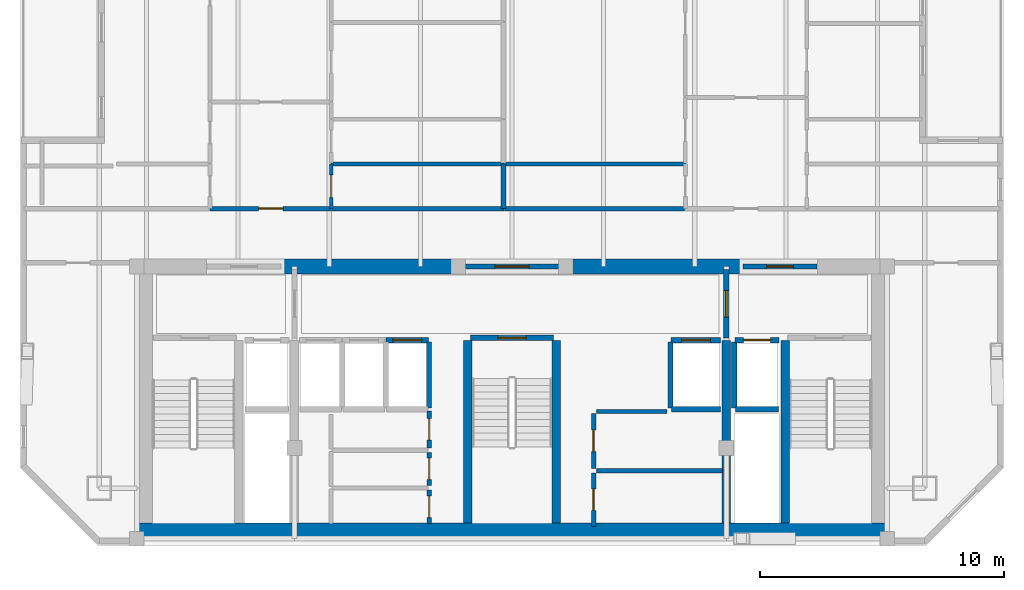
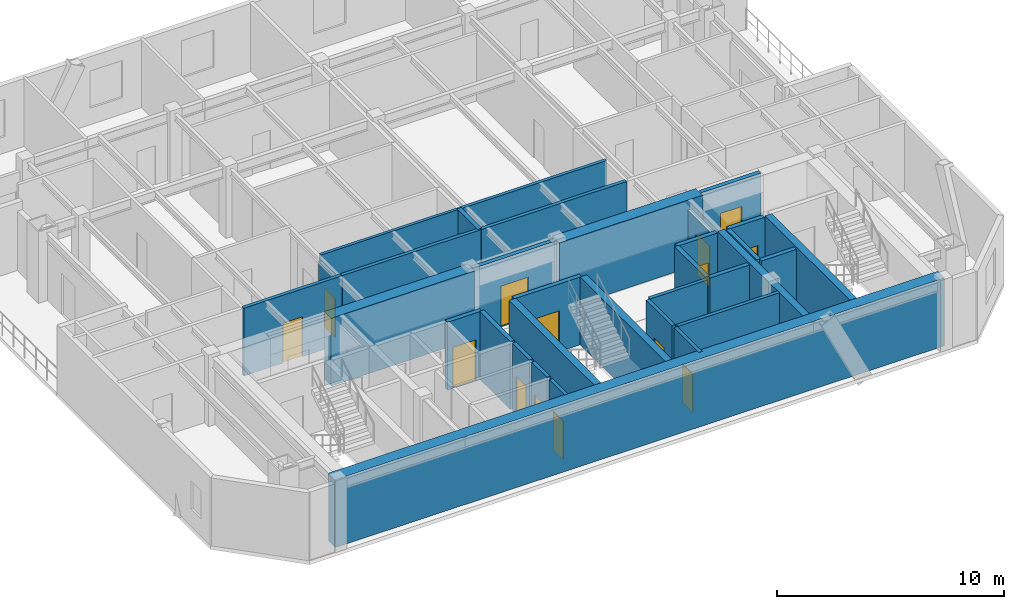
# One storey, part 3 of 7: 33 walls, 14 doors, 14 openings.
"""IFC4 building model written with IfcOpenShell, lengths in metres."""

from ifc_helpers import new_model, si_unit, direction, frame, frame_2d, origin, place, context, subcontext, project, spatial, rectangle, extrude, material, layer, layer_set, type_object, element, fill, save


model = new_model("IFC4")

# Units and contexts
model_context = context("Model", 3, precision=1e-05, world=origin(), true_north=direction((0.0, 1.0)))
body_context = subcontext(model_context, "Body", "Model", "MODEL_VIEW")
ifc_project = project(units=[si_unit("LENGTHUNIT", "METRE"), si_unit("AREAUNIT", "SQUARE_METRE"), si_unit("VOLUMEUNIT", "CUBIC_METRE"), si_unit("PLANEANGLEUNIT", "RADIAN"), si_unit("MASSUNIT", "GRAM", prefix="KILO")], contexts=[model_context])

# Site, building, storey
site_placement = place(None, origin())
site = spatial("IfcSite", under=ifc_project, at=site_placement, CompositionType="ELEMENT")
building_placement = place(site_placement, origin())
building = spatial("IfcBuilding", under=site, at=building_placement, Name="Ventersveld Concourse Tower", CompositionType="ELEMENT")
storey_placement = place(building_placement, frame((0.0, 0.0, 292.60009765625)))
storey = spatial("IfcBuildingStorey", under=building, at=storey_placement, Name="L72", CompositionType="ELEMENT", Elevation=292.60009765625)

# Walls
ifc_material_1 = material(Name="Concrete C50/60", Category="concrete")
ifc_layer_1 = layer(ifc_material_1, 0.35009765625)
ifc_layer_set_1 = layer_set([ifc_layer_1], Name="Concrete C50/60")
wall_type_1 = type_object("IfcWallType", Name="WL-CORE-350U", PredefinedType="SHEAR", material=ifc_layer_set_1)
for number, where, z_axis, x_axis, name in (
    (1, (26.93994140625, 0.919921875, 0.0), (0.0, 0.0, 1.0), (0.0, 1.0, 0.0), "L72 Core Internal Shear Web W-ST3-W"),
    (2, (30.56005859375, 0.919921875, 0.0), (0.0, 0.0, 1.0), (0.0, 1.0, 0.0), "L72 Core Internal Shear Web W-ST3-E"),
    (3, (37.550048828125, 0.919921875, 0.0), (0.0, 0.0, 1.0), (0.0, 1.0, 0.0), "L72 Core Internal Shear Web W-SVL-W"),
    (4, (39.9599609375, 0.919921875, 0.0), (0.0, 0.0, 1.0), (0.0, 1.0, 0.0), "L72 Core Internal Shear Web W-ST2-W"),
):
    element("IfcWall", number, at=place(storey_placement, frame(where, z_axis=z_axis, x_axis=x_axis)), inside=storey, type_object=wall_type_1, Name=name, PredefinedType="SHEAR", context=body_context, shape_type="SweptSolid", body=[
        extrude(rectangle(XDim=7.5, YDim=0.35009765625, at=frame_2d((3.75, 0.0))), origin(), (0.0, 0.0, 1.0), 3.64990234375),
    ])
ifc_layer_2 = layer(ifc_material_1, 0.60009765625)
ifc_layer_set_2 = layer_set([ifc_layer_2], Name="Concrete C50/60")
wall_type_2 = type_object("IfcWallType", Name="WL-CORE-600", PredefinedType="SHEAR", material=ifc_layer_set_2)
wall_1_placement = place(storey_placement, frame((13.25, 0.6201171875, 0.0), z_axis=(0.0, 0.0, 1.0), x_axis=(1.0, 0.0, 0.0)))
element("IfcWall", 5, at=wall_1_placement, inside=storey, type_object=wall_type_2, Name="L72 Rear Core South Shear Wall", PredefinedType="SHEAR", context=body_context, shape_type="SweptSolid", body=[
    extrude(rectangle(XDim=31.0, YDim=0.60009765625, at=frame_2d((15.5, 0.0))), origin(), (0.0, 0.0, 1.0), 3.64990234375),
])
for number, where, z_axis, x_axis, name in (
    (6, (19.300048828125, 11.449951171875, 0.0), (0.0, 0.0, 1.0), (1.0, 0.0, 0.0), "L72 Rear Core North Shear Wall NML"),
    (7, (30.89990234375, 11.449951171875, 0.0), (0.0, 0.0, 1.0), (1.0, 0.0, 0.0), "L72 Rear Core North Shear Wall NMR"),
):
    element("IfcWall", number, at=place(storey_placement, frame(where, z_axis=z_axis, x_axis=x_axis)), inside=storey, type_object=wall_type_2, Name=name, PredefinedType="SHEAR", context=body_context, shape_type="SweptSolid", body=[
        extrude(rectangle(XDim=7.300048828125, YDim=0.60009765625, at=frame_2d((3.64990234375, 0.0))), origin(), (0.0, 0.0, 1.0), 3.64990234375),
    ])

# Wall, opening, door
ifc_material_2 = material(Name="Fire-rated autoclaved aerated masonry blockwork", Category="masonry")
ifc_layer_3 = layer(ifc_material_2, 0.179931640625)
ifc_layer_set_3 = layer_set([ifc_layer_3], Name="Fire-rated autoclaved aerated masonry blockwork")
wall_type_3 = type_object("IfcWallType", Name="WL-CORR-180", PredefinedType="PARTITIONING", material=ifc_layer_set_3)
wall_2_placement = place(storey_placement, frame((25.35009765625, 0.89990234375, 0.0), z_axis=(0.0, 0.0, 1.0), x_axis=(0.0, 1.0, 0.0)))
wall_2 = element("IfcWall", 8, at=wall_2_placement, inside=storey, type_object=wall_type_3, Name="L72 Core Passage Wall SP-L72-RECB1S", PredefinedType="PARTITIONING", context=body_context, shape_type="SweptSolid", body=[
    extrude(rectangle(XDim=1.3701171875, YDim=0.179931640625, at=frame_2d((0.68505859375, 0.0))), origin(), (0.0, 0.0, 1.0), 3.64990234375),
])
opening_1_placement = place(wall_2_placement, frame((0.2451171875, 0.0, 0.0)))
opening_1 = element("IfcOpeningElement", 9, at=opening_1_placement, cuts=wall_2, Name="Opening FD5", PredefinedType="OPENING", context=body_context, shape_type="SweptSolid", body=[
    extrude(rectangle(XDim=0.8798828125, YDim=2.050048828125, at=frame_2d((0.43994140625, 1.02490234375))), frame((0.0, 0.10009765625, 0.0), z_axis=(0.0, -1.0, 0.0), x_axis=(1.0, 0.0, 0.0)), (0.0, 0.0, 1.0), 0.199951171875),
])
ifc_material_3 = material(Name="Galvanised painted steel", Category="steel")
door_type_1 = type_object("IfcDoorType", Name="DR-RISER-088", OperationType="NOTDEFINED", PredefinedType="DOOR", material=ifc_material_3)
door_1_placement = place(opening_1_placement, origin())
door_1 = element("IfcDoor", 10, at=door_1_placement, inside=storey, type_object=door_type_1, Name="L72 Core Room Door L72 Reclaimed Core Wine Cellar Store (CD-L72-3336)", OperationType="SINGLE_SWING_LEFT", OverallHeight=2.050048828125, OverallWidth=0.8798828125, PredefinedType="DOOR", context=body_context, shape_type="SweptSolid", body=[
    extrude(rectangle(XDim=0.8798828125, YDim=2.050048828125, at=frame_2d((0.43994140625, 1.02490234375))), frame((0.0, 0.02490234375, 0.0), z_axis=(0.0, -1.0, 0.0), x_axis=(1.0, 0.0, 0.0)), (0.0, 0.0, 1.0), 0.050048828125),
])
fill(opening_1, door_1)

wall_3_placement = place(storey_placement, frame((25.35009765625, 2.469970703125, 0.0), z_axis=(0.0, 0.0, 1.0), x_axis=(0.0, 1.0, 0.0)))
wall_3 = element("IfcWall", 11, at=wall_3_placement, inside=storey, type_object=wall_type_3, Name="L72 Core Passage Wall SP-L72-RECB1M", PredefinedType="PARTITIONING", context=body_context, shape_type="SweptSolid", body=[
    extrude(rectangle(XDim=1.340087890625, YDim=0.179931640625, at=frame_2d((0.669921875, 0.0))), origin(), (0.0, 0.0, 1.0), 3.64990234375),
])
opening_2_placement = place(wall_3_placement, frame((0.22998046875, 0.0, 0.0)))
opening_2 = element("IfcOpeningElement", 12, at=opening_2_placement, cuts=wall_3, Name="Opening FD5", PredefinedType="OPENING", context=body_context, shape_type="SweptSolid", body=[
    extrude(rectangle(XDim=0.8798828125, YDim=2.050048828125, at=frame_2d((0.43994140625, 1.02490234375))), frame((0.0, 0.10009765625, 0.0), z_axis=(0.0, -1.0, 0.0), x_axis=(1.0, 0.0, 0.0)), (0.0, 0.0, 1.0), 0.199951171875),
])
door_2_placement = place(opening_2_placement, origin())
door_2 = element("IfcDoor", 13, at=door_2_placement, inside=storey, type_object=door_type_1, Name="L72 Core Room Door L72 Reclaimed Core Archive Store (CD-L72-3337)", OperationType="SINGLE_SWING_RIGHT", OverallHeight=2.050048828125, OverallWidth=0.8798828125, PredefinedType="DOOR", context=body_context, shape_type="SweptSolid", body=[
    extrude(rectangle(XDim=0.8798828125, YDim=2.050048828125, at=frame_2d((0.43994140625, 1.02490234375))), frame((0.0, 0.02490234375, 0.0), z_axis=(0.0, -1.0, 0.0), x_axis=(1.0, 0.0, 0.0)), (0.0, 0.0, 1.0), 0.050048828125),
])
fill(opening_2, door_2)

wall_4_placement = place(storey_placement, frame((25.35009765625, 4.010009765625, 0.0), z_axis=(0.0, 0.0, 1.0), x_axis=(0.0, 1.0, 0.0)))
wall_4 = element("IfcWall", 14, at=wall_4_placement, inside=storey, type_object=wall_type_3, Name="L72 Core Passage Wall SP-L72-RECB1N", PredefinedType="PARTITIONING", context=body_context, shape_type="SweptSolid", body=[
    extrude(rectangle(XDim=1.510009765625, YDim=0.179931640625, at=frame_2d((0.7548828125, 0.0))), origin(), (0.0, 0.0, 1.0), 3.64990234375),
])
opening_3_placement = place(wall_4_placement, frame((0.31494140625, 0.0, 0.0)))
opening_3 = element("IfcOpeningElement", 15, at=opening_3_placement, cuts=wall_4, Name="Opening FD5", PredefinedType="OPENING", context=body_context, shape_type="SweptSolid", body=[
    extrude(rectangle(XDim=0.8798828125, YDim=2.050048828125, at=frame_2d((0.43994140625, 1.02490234375))), frame((0.0, 0.10009765625, 0.0), z_axis=(0.0, -1.0, 0.0), x_axis=(1.0, 0.0, 0.0)), (0.0, 0.0, 1.0), 0.199951171875),
])
door_3_placement = place(opening_3_placement, origin())
door_3 = element("IfcDoor", 16, at=door_3_placement, inside=storey, type_object=door_type_1, Name="L72 Core Room Door L72 Reclaimed Core Pram and Cycle Store (CD-L72-3338)", OperationType="SINGLE_SWING_LEFT", OverallHeight=2.050048828125, OverallWidth=0.8798828125, PredefinedType="DOOR", context=body_context, shape_type="SweptSolid", body=[
    extrude(rectangle(XDim=0.8798828125, YDim=2.050048828125, at=frame_2d((0.43994140625, 1.02490234375))), frame((0.0, 0.02490234375, 0.0), z_axis=(0.0, -1.0, 0.0), x_axis=(1.0, 0.0, 0.0)), (0.0, 0.0, 1.0), 0.050048828125),
])
fill(opening_3, door_3)

wall_5_placement = place(storey_placement, frame((32.10009765625, 0.780029296875, 0.0), z_axis=(0.0, 0.0, 1.0), x_axis=(0.0, 1.0, 0.0)))
wall_5 = element("IfcWall", 17, at=wall_5_placement, inside=storey, type_object=wall_type_3, Name="L72 Core Passage Wall SP-L72-RECB2S", PredefinedType="PARTITIONING", context=body_context, shape_type="SweptSolid", body=[
    extrude(rectangle(XDim=2.199951171875, YDim=0.179931640625, at=frame_2d((1.10009765625, 0.0))), origin(), (0.0, 0.0, 1.0), 3.64990234375),
])
opening_4_placement = place(wall_5_placement, frame((0.659912109375, 0.0, 0.0)))
opening_4 = element("IfcOpeningElement", 18, at=opening_4_placement, cuts=wall_5, Name="Opening FD5", PredefinedType="OPENING", context=body_context, shape_type="SweptSolid", body=[
    extrude(rectangle(XDim=0.8798828125, YDim=2.050048828125, at=frame_2d((0.43994140625, 1.02490234375))), frame((0.0, 0.10009765625, 0.0), z_axis=(0.0, -1.0, 0.0), x_axis=(1.0, 0.0, 0.0)), (0.0, 0.0, 1.0), 0.199951171875),
])
door_4_placement = place(opening_4_placement, origin())
door_4 = element("IfcDoor", 19, at=door_4_placement, inside=storey, type_object=door_type_1, Name="L72 Core Room Door L72 Reclaimed Core Quiet Library Pod (CD-L72-3339)", OperationType="SINGLE_SWING_RIGHT", OverallHeight=2.050048828125, OverallWidth=0.8798828125, PredefinedType="DOOR", context=body_context, shape_type="SweptSolid", body=[
    extrude(rectangle(XDim=0.8798828125, YDim=2.050048828125, at=frame_2d((0.43994140625, 1.02490234375))), frame((0.0, 0.02490234375, 0.0), z_axis=(0.0, -1.0, 0.0), x_axis=(1.0, 0.0, 0.0)), (0.0, 0.0, 1.0), 0.050048828125),
])
fill(opening_4, door_4)

# Wall
wall_6_placement = place(storey_placement, frame((32.219970703125, 3.06005859375, 0.0), z_axis=(0.0, 0.0, 1.0), x_axis=(1.0, 0.0, 0.0)))
element("IfcWall", 20, at=wall_6_placement, inside=storey, type_object=wall_type_3, Name="L72 Core Top Wall SP-L72-RECB2S", PredefinedType="PARTITIONING", context=body_context, shape_type="SweptSolid", body=[
    extrude(rectangle(XDim=5.179931640625, YDim=0.179931640625, at=frame_2d((2.58984375, 0.0))), origin(), (0.0, 0.0, 1.0), 3.64990234375),
])

# Wall, opening, door
wall_7_placement = place(storey_placement, frame((32.10009765625, 3.159912109375, 0.0), z_axis=(0.0, 0.0, 1.0), x_axis=(0.0, 1.0, 0.0)))
wall_7 = element("IfcWall", 21, at=wall_7_placement, inside=storey, type_object=wall_type_3, Name="L72 Core Passage Wall SP-L72-RECB2N", PredefinedType="PARTITIONING", context=body_context, shape_type="SweptSolid", body=[
    extrude(rectangle(XDim=2.260009765625, YDim=0.179931640625, at=frame_2d((1.1298828125, 0.0))), origin(), (0.0, 0.0, 1.0), 3.64990234375),
])
opening_5_placement = place(wall_7_placement, frame((0.68994140625, 0.0, 0.0)))
opening_5 = element("IfcOpeningElement", 22, at=opening_5_placement, cuts=wall_7, Name="Opening FD5", PredefinedType="OPENING", context=body_context, shape_type="SweptSolid", body=[
    extrude(rectangle(XDim=0.8798828125, YDim=2.050048828125, at=frame_2d((0.43994140625, 1.02490234375))), frame((0.0, 0.10009765625, 0.0), z_axis=(0.0, -1.0, 0.0), x_axis=(1.0, 0.0, 0.0)), (0.0, 0.0, 1.0), 0.199951171875),
])
door_5_placement = place(opening_5_placement, origin())
door_5 = element("IfcDoor", 23, at=door_5_placement, inside=storey, type_object=door_type_1, Name="L72 Core Room Door L72 Reclaimed Core Music Practice Room (CD-L72-3340)", OperationType="SINGLE_SWING_LEFT", OverallHeight=2.050048828125, OverallWidth=0.8798828125, PredefinedType="DOOR", context=body_context, shape_type="SweptSolid", body=[
    extrude(rectangle(XDim=0.8798828125, YDim=2.050048828125, at=frame_2d((0.43994140625, 1.02490234375))), frame((0.0, 0.02490234375, 0.0), z_axis=(0.0, -1.0, 0.0), x_axis=(1.0, 0.0, 0.0)), (0.0, 0.0, 1.0), 0.050048828125),
])
fill(opening_5, door_5)

# Wall
wall_8_placement = place(storey_placement, frame((32.219970703125, 5.5, 0.0), z_axis=(0.0, 0.0, 1.0), x_axis=(1.0, 0.0, 0.0)))
element("IfcWall", 24, at=wall_8_placement, inside=storey, type_object=wall_type_3, Name="L72 Core Top Wall SP-L72-RECB2N", PredefinedType="PARTITIONING", context=body_context, shape_type="SweptSolid", body=[
    extrude(rectangle(XDim=2.900146484375, YDim=0.179931640625, at=frame_2d((1.4501953125, 0.0))), origin(), (0.0, 0.0, 1.0), 3.64990234375),
])

# Wall, opening, door
wall_9_placement = place(storey_placement, frame((16.347900390625, 13.830078125, 0.0), z_axis=(0.0, 0.0, 1.0), x_axis=(1.0, 0.0, 0.0)))
wall_9 = element("IfcWall", 25, at=wall_9_placement, inside=storey, type_object=wall_type_3, Name="L72 Interior Partition SP-L72-COR-SP-L72-72N1-FOY", PredefinedType="PARTITIONING", context=body_context, shape_type="SweptSolid", body=[
    extrude(rectangle(XDim=4.989990234375, YDim=0.179931640625, at=frame_2d((2.4951171875, 0.0))), origin(), (0.0, 0.0, 1.0), 3.64990234375),
])
opening_6_placement = place(wall_9_placement, frame((1.9951171875, 0.0, 0.0)))
opening_6 = element("IfcOpeningElement", 26, at=opening_6_placement, cuts=wall_9, Name="Opening FD3", PredefinedType="OPENING", context=body_context, shape_type="SweptSolid", body=[
    extrude(rectangle(XDim=1.0, YDim=2.14990234375, at=frame_2d((0.5, 1.074951171875))), frame((0.0, 0.10009765625, 0.0), z_axis=(0.0, -1.0, 0.0), x_axis=(1.0, 0.0, 0.0)), (0.0, 0.0, 1.0), 0.199951171875),
])
ifc_material_4 = material(Name="Solid-core hardwood veneer timber", Category="wood")
door_type_2 = type_object("IfcDoorType", Name="DR-FLAT-100", OperationType="NOTDEFINED", PredefinedType="DOOR", material=ifc_material_4)
door_6_placement = place(opening_6_placement, origin())
door_6 = element("IfcDoor", 27, at=door_6_placement, inside=storey, type_object=door_type_2, Name="L72 Interior Door SP-L72-COR to SP-L72-72N1-FOY (FD-L72-3343)", OperationType="SINGLE_SWING_LEFT", OverallHeight=2.14990234375, OverallWidth=1.0, PredefinedType="DOOR", context=body_context, shape_type="SweptSolid", body=[
    extrude(rectangle(XDim=1.0, YDim=2.14990234375, at=frame_2d((0.5, 1.074951171875))), frame((0.0, 0.02490234375, 0.0), z_axis=(0.0, -1.0, 0.0), x_axis=(1.0, 0.0, 0.0)), (0.0, 0.0, 1.0), 0.050048828125),
])
fill(opening_6, door_6)

# Walls
wall_10_placement = place(storey_placement, frame((21.367919921875, 13.830078125, 0.0), z_axis=(0.0, 0.0, 1.0), x_axis=(1.0, 0.0, 0.0)))
element("IfcWall", 28, at=wall_10_placement, inside=storey, type_object=wall_type_3, Name="L72 Interior Partition SP-L72-COR-SP-L72-72N1-KIT", PredefinedType="PARTITIONING", context=body_context, shape_type="SweptSolid", body=[
    extrude(rectangle(XDim=7.044921875, YDim=0.179931640625, at=frame_2d((3.5224609375, 0.0))), origin(), (0.0, 0.0, 1.0), 3.64990234375),
])
wall_11_placement = place(storey_placement, frame((28.44287109375, 13.830078125, 0.0), z_axis=(0.0, 0.0, 1.0), x_axis=(1.0, 0.0, 0.0)))
element("IfcWall", 29, at=wall_11_placement, inside=storey, type_object=wall_type_3, Name="L72 Interior Partition SP-L72-COR-SP-L72-72N2-BATH", PredefinedType="PARTITIONING", context=body_context, shape_type="SweptSolid", body=[
    extrude(rectangle(XDim=7.38916015625, YDim=0.179931640625, at=frame_2d((3.694580078125, 0.0))), origin(), (0.0, 0.0, 1.0), 3.64990234375),
])
ifc_layer_4 = layer(ifc_material_2, 0.199951171875)
ifc_layer_set_4 = layer_set([ifc_layer_4], Name="Fire-rated autoclaved aerated masonry blockwork")
wall_type_4 = type_object("IfcWallType", Name="WL-DEMISE-200", PredefinedType="PARTITIONING", material=ifc_layer_set_4)
wall_12_placement = place(storey_placement, frame((28.40771484375, 13.824951171875, 0.0), z_axis=(0.0, 0.0, 1.0), x_axis=(0.0, 1.0, 0.0)))
element("IfcWall", 30, at=wall_12_placement, inside=storey, type_object=wall_type_4, Name="L72 Interior Partition SP-L72-72N1-KIT-SP-L72-72N2-BATH", PredefinedType="PARTITIONING", context=body_context, shape_type="SweptSolid", body=[
    extrude(rectangle(XDim=1.840087890625, YDim=0.199951171875, at=frame_2d((0.919921875, 0.0))), origin(), (0.0, 0.0, 1.0), 3.64990234375),
])
ifc_layer_5 = layer(ifc_material_2, 0.219970703125)
ifc_layer_set_5 = layer_set([ifc_layer_5], Name="Fire-rated autoclaved aerated masonry blockwork")
wall_type_5 = type_object("IfcWallType", Name="WL-HOIST-220", PredefinedType="SOLIDWALL", material=ifc_layer_set_5)
wall_13_placement = place(storey_placement, frame((37.919921875, 5.590087890625, 0.0), z_axis=(0.0, 0.0, 1.0), x_axis=(1.0, 0.0, 0.0)))
element("IfcWall", 31, at=wall_13_placement, inside=storey, type_object=wall_type_5, Name="L72 Lift Hoistway Back Wall FFL-02", PredefinedType="SOLIDWALL", context=body_context, shape_type="SweptSolid", body=[
    extrude(rectangle(XDim=1.780029296875, YDim=0.219970703125, at=frame_2d((0.89013671875, 0.0))), origin(), (0.0, 0.0, 1.0), 3.64990234375),
])
wall_14_placement = place(storey_placement, frame((37.8798828125, 5.64990234375, 0.0), z_axis=(0.0, 0.0, 1.0), x_axis=(0.0, 1.0, 0.0)))
element("IfcWall", 32, at=wall_14_placement, inside=storey, type_object=wall_type_5, Name="L72 Lift Hoistway Side Wall FFL-02W", PredefinedType="SOLIDWALL", context=body_context, shape_type="SweptSolid", body=[
    extrude(rectangle(XDim=2.7001953125, YDim=0.219970703125, at=frame_2d((1.35009765625, 0.0))), origin(), (0.0, 0.0, 1.0), 3.64990234375),
])

# Wall, opening, door
wall_15_placement = place(storey_placement, frame((37.89990234375, 8.429931640625, 0.0), z_axis=(0.0, 0.0, 1.0), x_axis=(1.0, 0.0, 0.0)))
wall_15 = element("IfcWall", 33, at=wall_15_placement, inside=storey, type_object=wall_type_5, Name="L72 Lift Hoistway Front Wall FFL-02", PredefinedType="SOLIDWALL", context=body_context, shape_type="SweptSolid", body=[
    extrude(rectangle(XDim=1.820068359375, YDim=0.219970703125, at=frame_2d((0.91015625, 0.0))), origin(), (0.0, 0.0, 1.0), 3.64990234375),
])
opening_7_placement = place(wall_15_placement, frame((0.35009765625, 0.0, 0.0)))
opening_7 = element("IfcOpeningElement", 34, at=opening_7_placement, cuts=wall_15, Name="Opening LD1", PredefinedType="OPENING", context=body_context, shape_type="SweptSolid", body=[
    extrude(rectangle(XDim=1.1201171875, YDim=2.25, at=frame_2d((0.56005859375, 1.125))), frame((0.0, 0.1201171875, 0.0), z_axis=(0.0, -1.0, 0.0), x_axis=(1.0, 0.0, 0.0)), (0.0, 0.0, 1.0), 0.239990234375),
])
ifc_material_5 = material(Name="Brushed stainless steel 316", Category="steel")
door_type_3 = type_object("IfcDoorType", Name="LD-FF-112", OperationType="SLIDING_TO_LEFT", PredefinedType="DOOR", material=ifc_material_5)
door_7_placement = place(opening_7_placement, origin())
door_7 = element("IfcDoor", 35, at=door_7_placement, inside=storey, type_object=door_type_3, Name="L72 Lift landing door FFL-02 (LD-L72-FFL-02)", OperationType="SLIDING_TO_LEFT", OverallHeight=2.25, OverallWidth=1.1201171875, PredefinedType="DOOR", context=body_context, shape_type="SweptSolid", body=[
    extrude(rectangle(XDim=1.1201171875, YDim=2.25, at=frame_2d((0.56005859375, 1.125))), frame((0.0, 0.02490234375, 0.0), z_axis=(0.0, -1.0, 0.0), x_axis=(1.0, 0.0, 0.0)), (0.0, 0.0, 1.0), 0.050048828125),
])
fill(opening_7, door_7)

# Walls
wall_16_placement = place(storey_placement, frame((35.300048828125, 5.590087890625, 0.0), z_axis=(0.0, 0.0, 1.0), x_axis=(1.0, 0.0, 0.0)))
element("IfcWall", 36, at=wall_16_placement, inside=storey, type_object=wall_type_5, Name="L72 Lift Hoistway Back Wall SVL-01", PredefinedType="SOLIDWALL", context=body_context, shape_type="SweptSolid", body=[
    extrude(rectangle(XDim=2.0, YDim=0.219970703125, at=frame_2d((1.0, 0.0))), origin(), (0.0, 0.0, 1.0), 3.64990234375),
])
wall_17_placement = place(storey_placement, frame((35.260009765625, 5.64990234375, 0.0), z_axis=(0.0, 0.0, 1.0), x_axis=(0.0, 1.0, 0.0)))
element("IfcWall", 37, at=wall_17_placement, inside=storey, type_object=wall_type_5, Name="L72 Lift Hoistway Side Wall SVL-01W", PredefinedType="SOLIDWALL", context=body_context, shape_type="SweptSolid", body=[
    extrude(rectangle(XDim=2.7001953125, YDim=0.219970703125, at=frame_2d((1.35009765625, 0.0))), origin(), (0.0, 0.0, 1.0), 3.64990234375),
])

# Wall, opening, door
wall_18_placement = place(storey_placement, frame((35.280029296875, 8.429931640625, 0.0), z_axis=(0.0, 0.0, 1.0), x_axis=(1.0, 0.0, 0.0)))
wall_18 = element("IfcWall", 38, at=wall_18_placement, inside=storey, type_object=wall_type_5, Name="L72 Lift Hoistway Front Wall SVL-01", PredefinedType="SOLIDWALL", context=body_context, shape_type="SweptSolid", body=[
    extrude(rectangle(XDim=2.0400390625, YDim=0.219970703125, at=frame_2d((1.02001953125, 0.0))), origin(), (0.0, 0.0, 1.0), 3.64990234375),
])
opening_8_placement = place(wall_18_placement, frame((0.429931640625, 0.0, 0.0)))
opening_8 = element("IfcOpeningElement", 39, at=opening_8_placement, cuts=wall_18, Name="Opening LD2", PredefinedType="OPENING", context=body_context, shape_type="SweptSolid", body=[
    extrude(rectangle(XDim=1.179931640625, YDim=2.199951171875, at=frame_2d((0.58984375, 1.10009765625))), frame((0.0, 0.1201171875, 0.0), z_axis=(0.0, -1.0, 0.0), x_axis=(1.0, 0.0, 0.0)), (0.0, 0.0, 1.0), 0.239990234375),
])
door_type_4 = type_object("IfcDoorType", Name="LD-PAX-118", OperationType="SLIDING_TO_LEFT", PredefinedType="DOOR", material=ifc_material_5)
door_8_placement = place(opening_8_placement, origin())
door_8 = element("IfcDoor", 40, at=door_8_placement, inside=storey, type_object=door_type_4, Name="L72 Lift landing door SVL-01 (LD-L72-SVL-01)", OperationType="SLIDING_TO_RIGHT", OverallHeight=2.199951171875, OverallWidth=1.179931640625, PredefinedType="DOOR", context=body_context, shape_type="SweptSolid", body=[
    extrude(rectangle(XDim=1.179931640625, YDim=2.199951171875, at=frame_2d((0.58984375, 1.10009765625))), frame((0.0, 0.02490234375, 0.0), z_axis=(0.0, -1.0, 0.0), x_axis=(1.0, 0.0, 0.0)), (0.0, 0.0, 1.0), 0.050048828125),
])
fill(opening_8, door_8)

# Wall
wall_19_placement = place(storey_placement, frame((25.340087890625, 5.64990234375, 0.0), z_axis=(0.0, 0.0, 1.0), x_axis=(0.0, 1.0, 0.0)))
element("IfcWall", 41, at=wall_19_placement, inside=storey, type_object=wall_type_5, Name="L72 Lift Hoistway Side Wall PH-03E", PredefinedType="SOLIDWALL", context=body_context, shape_type="SweptSolid", body=[
    extrude(rectangle(XDim=2.7001953125, YDim=0.219970703125, at=frame_2d((1.35009765625, 0.0))), origin(), (0.0, 0.0, 1.0), 3.64990234375),
])

# Wall, opening, door
wall_20_placement = place(storey_placement, frame((23.580078125, 8.429931640625, 0.0), z_axis=(0.0, 0.0, 1.0), x_axis=(1.0, 0.0, 0.0)))
wall_20 = element("IfcWall", 42, at=wall_20_placement, inside=storey, type_object=wall_type_5, Name="L72 Lift Hoistway Front Wall PH-03", PredefinedType="SOLIDWALL", context=body_context, shape_type="SweptSolid", body=[
    extrude(rectangle(XDim=1.739990234375, YDim=0.219970703125, at=frame_2d((0.8701171875, 0.0))), origin(), (0.0, 0.0, 1.0), 3.64990234375),
])
opening_9_placement = place(wall_20_placement, frame((0.280029296875, 0.0, 0.0)))
opening_9 = element("IfcOpeningElement", 43, at=opening_9_placement, cuts=wall_20, Name="Opening LD2", PredefinedType="OPENING", context=body_context, shape_type="SweptSolid", body=[
    extrude(rectangle(XDim=1.179931640625, YDim=2.199951171875, at=frame_2d((0.58984375, 1.10009765625))), frame((0.0, 0.1201171875, 0.0), z_axis=(0.0, -1.0, 0.0), x_axis=(1.0, 0.0, 0.0)), (0.0, 0.0, 1.0), 0.239990234375),
])
door_9_placement = place(opening_9_placement, origin())
door_9 = element("IfcDoor", 44, at=door_9_placement, inside=storey, type_object=door_type_4, Name="L72 Lift landing door PH-03 (LD-L72-PH-03)", OperationType="SLIDING_TO_LEFT", OverallHeight=2.199951171875, OverallWidth=1.179931640625, PredefinedType="DOOR", context=body_context, shape_type="SweptSolid", body=[
    extrude(rectangle(XDim=1.179931640625, YDim=2.199951171875, at=frame_2d((0.58984375, 1.10009765625))), frame((0.0, 0.02490234375, 0.0), z_axis=(0.0, -1.0, 0.0), x_axis=(1.0, 0.0, 0.0)), (0.0, 0.0, 1.0), 0.050048828125),
])
fill(opening_9, door_9)

wall_21_placement = place(storey_placement, frame((27.0400390625, 8.52001953125, 0.0), z_axis=(0.0, 0.0, 1.0), x_axis=(1.0, 0.0, 0.0)))
wall_21 = element("IfcWall", 45, at=wall_21_placement, inside=storey, type_object=wall_type_5, Name="L72 Escape Stair ST03 Fire Wall", PredefinedType="SOLIDWALL", context=body_context, shape_type="SweptSolid", body=[
    extrude(rectangle(XDim=3.419921875, YDim=0.219970703125, at=frame_2d((1.7099609375, 0.0))), origin(), (0.0, 0.0, 1.0), 3.64990234375),
])
opening_10_placement = place(wall_21_placement, frame((1.135009765625, 0.0, 0.0)))
opening_10 = element("IfcOpeningElement", 46, at=opening_10_placement, cuts=wall_21, Name="Opening FD1", PredefinedType="OPENING", context=body_context, shape_type="SweptSolid", body=[
    extrude(rectangle(XDim=1.14990234375, YDim=2.199951171875, at=frame_2d((0.574951171875, 1.10009765625))), frame((0.0, 0.1201171875, 0.0), z_axis=(0.0, -1.0, 0.0), x_axis=(1.0, 0.0, 0.0)), (0.0, 0.0, 1.0), 0.239990234375),
])
door_type_5 = type_object("IfcDoorType", Name="DR-STAIR-115", OperationType="NOTDEFINED", PredefinedType="DOOR", material=ifc_material_3)
door_10_placement = place(opening_10_placement, origin())
door_10 = element("IfcDoor", 47, at=door_10_placement, inside=storey, type_object=door_type_5, Name="L72 Escape Stair Door ST03 (SD-L72-3330)", OperationType="SINGLE_SWING_LEFT", OverallHeight=2.199951171875, OverallWidth=1.14990234375, PredefinedType="DOOR", context=body_context, shape_type="SweptSolid", body=[
    extrude(rectangle(XDim=1.14990234375, YDim=2.199951171875, at=frame_2d((0.574951171875, 1.10009765625))), frame((0.0, 0.02490234375, 0.0), z_axis=(0.0, -1.0, 0.0), x_axis=(1.0, 0.0, 0.0)), (0.0, 0.0, 1.0), 0.050048828125),
])
fill(opening_10, door_10)

wall_22_placement = place(storey_placement, frame((37.550048828125, 8.52001953125, 0.0), z_axis=(0.0, 0.0, 1.0), x_axis=(0.0, 1.0, 0.0)))
wall_22 = element("IfcWall", 48, at=wall_22_placement, inside=storey, type_object=wall_type_5, Name="L72 Firefighting Lobby Smoke-Stop Wall FFLE-SEP", PredefinedType="SOLIDWALL", context=body_context, shape_type="SweptSolid", body=[
    extrude(rectangle(XDim=2.800048828125, YDim=0.219970703125, at=frame_2d((1.39990234375, 0.0))), origin(), (0.0, 0.0, 1.0), 3.10546875),
])
opening_11_placement = place(wall_22_placement, frame((0.85009765625, 0.0, 0.0)))
opening_11 = element("IfcOpeningElement", 49, at=opening_11_placement, cuts=wall_22, Name="Opening FD2", PredefinedType="OPENING", context=body_context, shape_type="SweptSolid", body=[
    extrude(rectangle(XDim=1.10009765625, YDim=2.199951171875, at=frame_2d((0.550048828125, 1.10009765625))), frame((0.0, 0.1201171875, 0.0), z_axis=(0.0, -1.0, 0.0), x_axis=(1.0, 0.0, 0.0)), (0.0, 0.0, 1.0), 0.239990234375),
])
door_type_6 = type_object("IfcDoorType", Name="DR-FFL-110", OperationType="NOTDEFINED", PredefinedType="DOOR", material=ifc_material_3)
door_11_placement = place(opening_11_placement, origin())
door_11 = element("IfcDoor", 50, at=door_11_placement, inside=storey, type_object=door_type_6, Name="L72 Firefighting Lobby Door FFLE-SEP (FD-L72-3332)", OperationType="SINGLE_SWING_RIGHT", OverallHeight=2.199951171875, OverallWidth=1.10009765625, PredefinedType="DOOR", context=body_context, shape_type="SweptSolid", body=[
    extrude(rectangle(XDim=1.10009765625, YDim=2.199951171875, at=frame_2d((0.550048828125, 1.10009765625))), frame((0.0, 0.02490234375, 0.0), z_axis=(0.0, -1.0, 0.0), x_axis=(1.0, 0.0, 0.0)), (0.0, 0.0, 1.0), 0.050048828125),
])
fill(opening_11, door_11)

wall_23_placement = place(storey_placement, frame((26.6298828125, 11.449951171875, 0.0), z_axis=(0.0, 0.0, 1.0), x_axis=(1.0, 0.0, 0.0)))
wall_23 = element("IfcWall", 51, at=wall_23_placement, inside=storey, type_object=wall_type_5, Name="L72 Core North Fire Portal PLOB-OUT", PredefinedType="SOLIDWALL", context=body_context, shape_type="SweptSolid", body=[
    extrude(rectangle(XDim=4.240234375, YDim=0.219970703125, at=frame_2d((2.1201171875, 0.0))), origin(), (0.0, 0.0, 1.0), 3.64990234375),
])
opening_12_placement = place(wall_23_placement, frame((1.419921875, 0.0, 0.0)))
opening_12 = element("IfcOpeningElement", 52, at=opening_12_placement, cuts=wall_23, Name="Opening FD4", PredefinedType="OPENING", context=body_context, shape_type="SweptSolid", body=[
    extrude(rectangle(XDim=1.39990234375, YDim=2.199951171875, at=frame_2d((0.699951171875, 1.10009765625))), frame((0.0, 0.1201171875, 0.0), z_axis=(0.0, -1.0, 0.0), x_axis=(1.0, 0.0, 0.0)), (0.0, 0.0, 1.0), 0.239990234375),
])
door_type_7 = type_object("IfcDoorType", Name="DR-PLANT-140", OperationType="DOUBLE_DOOR_SINGLE_SWING", PredefinedType="DOOR", material=ifc_material_3)
door_12_placement = place(opening_12_placement, origin())
door_12 = element("IfcDoor", 53, at=door_12_placement, inside=storey, type_object=door_type_7, Name="L72 Core Lobby Fire Door PLOB-OUT (FD-L72-3334)", OperationType="DOUBLE_DOOR_SINGLE_SWING", OverallHeight=2.199951171875, OverallWidth=1.39990234375, PredefinedType="DOOR", context=body_context, shape_type="SweptSolid", body=[
    extrude(rectangle(XDim=1.39990234375, YDim=2.199951171875, at=frame_2d((0.699951171875, 1.10009765625))), frame((0.0, 0.02490234375, 0.0), z_axis=(0.0, -1.0, 0.0), x_axis=(1.0, 0.0, 0.0)), (0.0, 0.0, 1.0), 0.050048828125),
])
fill(opening_12, door_12)

wall_24_placement = place(storey_placement, frame((38.22998046875, 11.449951171875, 0.0), z_axis=(0.0, 0.0, 1.0), x_axis=(1.0, 0.0, 0.0)))
wall_24 = element("IfcWall", 54, at=wall_24_placement, inside=storey, type_object=wall_type_5, Name="L72 Core North Fire Portal FFLE-OUT", PredefinedType="SOLIDWALL", context=body_context, shape_type="SweptSolid", body=[
    extrude(rectangle(XDim=3.0400390625, YDim=0.219970703125, at=frame_2d((1.52001953125, 0.0))), origin(), (0.0, 0.0, 1.0), 3.64990234375),
])
opening_13_placement = place(wall_24_placement, frame((0.969970703125, 0.0, 0.0)))
opening_13 = element("IfcOpeningElement", 55, at=opening_13_placement, cuts=wall_24, Name="Opening FD2", PredefinedType="OPENING", context=body_context, shape_type="SweptSolid", body=[
    extrude(rectangle(XDim=1.10009765625, YDim=2.199951171875, at=frame_2d((0.550048828125, 1.10009765625))), frame((0.0, 0.1201171875, 0.0), z_axis=(0.0, -1.0, 0.0), x_axis=(1.0, 0.0, 0.0)), (0.0, 0.0, 1.0), 0.239990234375),
])
door_13_placement = place(opening_13_placement, origin())
door_13 = element("IfcDoor", 56, at=door_13_placement, inside=storey, type_object=door_type_6, Name="L72 Core Lobby Fire Door FFLE-OUT (FD-L72-3335)", OperationType="SINGLE_SWING_LEFT", OverallHeight=2.199951171875, OverallWidth=1.10009765625, PredefinedType="DOOR", context=body_context, shape_type="SweptSolid", body=[
    extrude(rectangle(XDim=1.10009765625, YDim=2.199951171875, at=frame_2d((0.550048828125, 1.10009765625))), frame((0.0, 0.02490234375, 0.0), z_axis=(0.0, -1.0, 0.0), x_axis=(1.0, 0.0, 0.0)), (0.0, 0.0, 1.0), 0.050048828125),
])
fill(opening_13, door_13)

ifc_material_6 = material(Name="Autoclaved aerated masonry blockwork", Category="masonry")
ifc_layer_6 = layer(ifc_material_6, 0.14990234375)
ifc_layer_set_6 = layer_set([ifc_layer_6], Name="Autoclaved aerated masonry blockwork")
wall_type_6 = type_object("IfcWallType", Name="WL-INT-150", PredefinedType="PARTITIONING", material=ifc_layer_set_6)
wall_25_placement = place(storey_placement, frame((21.332763671875, 13.824951171875, 0.0), z_axis=(0.0, 0.0, 1.0), x_axis=(0.0, 1.0, 0.0)))
wall_25 = element("IfcWall", 57, at=wall_25_placement, inside=storey, type_object=wall_type_6, Name="L72 Interior Partition SP-L72-72N1-FOY-SP-L72-72N1-KIT", PredefinedType="PARTITIONING", context=body_context, shape_type="SweptSolid", body=[
    extrude(rectangle(XDim=1.840087890625, YDim=0.14990234375, at=frame_2d((0.919921875, 0.0))), origin(), (0.0, 0.0, 1.0), 3.294921875),
])
opening_14_placement = place(wall_25_placement, frame((0.4599609375, 0.0, 0.0)))
opening_14 = element("IfcOpeningElement", 58, at=opening_14_placement, cuts=wall_25, Name="Opening ID1", PredefinedType="OPENING", context=body_context, shape_type="SweptSolid", body=[
    extrude(rectangle(XDim=0.919921875, YDim=2.10009765625, at=frame_2d((0.4599609375, 1.050048828125))), frame((0.0, 0.0849609375, 0.0), z_axis=(0.0, -1.0, 0.0), x_axis=(1.0, 0.0, 0.0)), (0.0, 0.0, 1.0), 0.169921875),
])
door_type_8 = type_object("IfcDoorType", Name="DR-ROOM-092", OperationType="NOTDEFINED", PredefinedType="DOOR", material=ifc_material_4)
door_14_placement = place(opening_14_placement, origin())
door_14 = element("IfcDoor", 59, at=door_14_placement, inside=storey, type_object=door_type_8, Name="L72 Interior Door SP-L72-72N1-FOY to SP-L72-72N1-KIT (D-L72-3348)", OperationType="SINGLE_SWING_RIGHT", OverallHeight=2.10009765625, OverallWidth=0.919921875, PredefinedType="DOOR", context=body_context, shape_type="SweptSolid", body=[
    extrude(rectangle(XDim=0.919921875, YDim=2.10009765625, at=frame_2d((0.4599609375, 1.050048828125))), frame((0.0, 0.02490234375, 0.0), z_axis=(0.0, -1.0, 0.0), x_axis=(1.0, 0.0, 0.0)), (0.0, 0.0, 1.0), 0.050048828125),
])
fill(opening_14, door_14)

# Walls
wall_26_placement = place(storey_placement, frame((21.327880859375, 15.659912109375, 0.0), z_axis=(0.0, 0.0, 1.0), x_axis=(1.0, 0.0, 0.0)))
element("IfcWall", 60, at=wall_26_placement, inside=storey, type_object=wall_type_6, Name="L72 Interior Partition SP-L72-72N1-KIT-SP-L72-72N1-PANR1", PredefinedType="PARTITIONING", context=body_context, shape_type="SweptSolid", body=[
    extrude(rectangle(XDim=7.0849609375, YDim=0.14990234375, at=frame_2d((3.54248046875, 0.0))), origin(), (0.0, 0.0, 1.0), 3.64990234375),
])
ifc_layer_7 = layer(ifc_material_6, 0.1650390625)
ifc_layer_set_7 = layer_set([ifc_layer_7], Name="Autoclaved aerated masonry blockwork")
wall_type_7 = type_object("IfcWallType", Name="WL-WET-165", PredefinedType="PLUMBINGWALL", material=ifc_layer_set_7)
wall_27_placement = place(storey_placement, frame((28.44287109375, 15.659912109375, 0.0), z_axis=(0.0, 0.0, 1.0), x_axis=(1.0, 0.0, 0.0)))
element("IfcWall", 61, at=wall_27_placement, inside=storey, type_object=wall_type_7, Name="L72 Interior Partition SP-L72-72N2-BATH-SP-L72-72N2-OFFL0", PredefinedType="PLUMBINGWALL", context=body_context, shape_type="SweptSolid", body=[
    extrude(rectangle(XDim=7.42919921875, YDim=0.1650390625, at=frame_2d((3.714599609375, 0.0))), origin(), (0.0, 0.0, 1.0), 3.64990234375),
])

save(model, "model.ifc")
